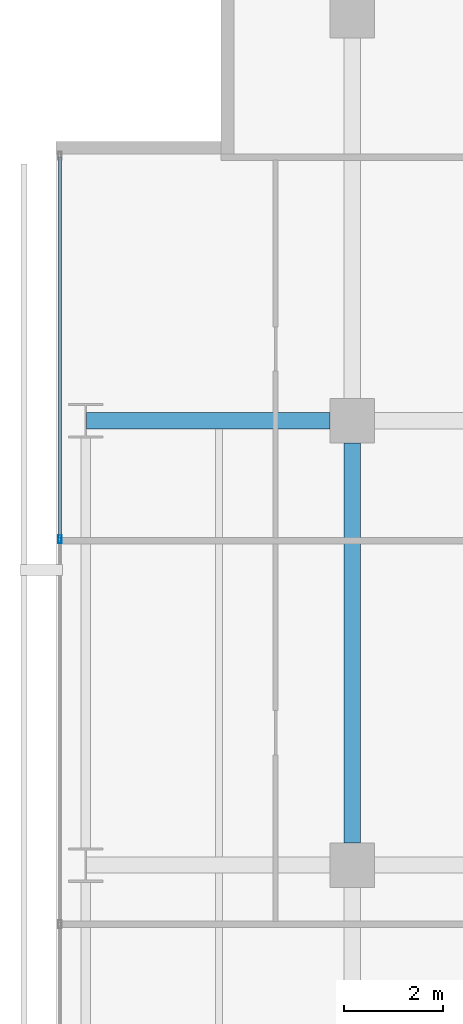
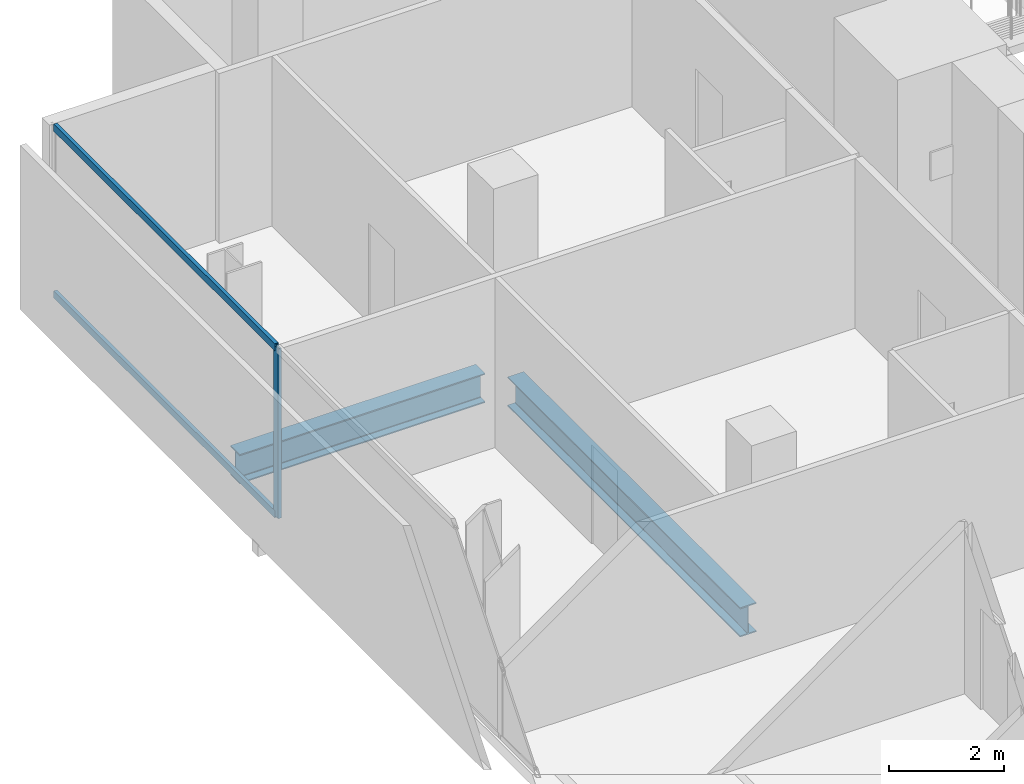
# One storey, part 23 of 40: 3 members, 2 beams, 1 element without a shape of its own.
"""IFC4 building model written with IfcOpenShell, lengths in metres."""

from ifc_helpers import new_model, si_unit, direction, frame, origin, origin_2d, place, context, subcontext, project, spatial, hollow_rectangle, i_section, extrude, material, layer, layer_set, material_profile, profile_set, type_object, element, aggregate, save


model = new_model("IFC4")

# Units and contexts
model_context = context("Model", 3, precision=1e-05, world=origin(), true_north=direction((0.0, 1.0)))
body_context = subcontext(model_context, "Body", "Model", "MODEL_VIEW")
ifc_project = project(units=[si_unit("LENGTHUNIT", "METRE"), si_unit("AREAUNIT", "SQUARE_METRE"), si_unit("VOLUMEUNIT", "CUBIC_METRE"), si_unit("PLANEANGLEUNIT", "RADIAN"), si_unit("MASSUNIT", "GRAM", prefix="KILO")], contexts=[model_context])

# Site, building, storey
site_placement = place(None, origin())
site = spatial("IfcSite", under=ifc_project, at=site_placement, CompositionType="ELEMENT")
building_placement = place(site_placement, origin())
building = spatial("IfcBuilding", under=site, at=building_placement, Name="Maruvema Waterfront Hotel and Observation Tower", CompositionType="ELEMENT")
storey_placement = place(building_placement, frame((0.0, 0.0, 57.75)))
storey = spatial("IfcBuildingStorey", under=building, at=storey_placement, Name="L13", CompositionType="ELEMENT", Elevation=57.75)

# Curtain wall, members
ifc_material_1 = material(Name="Anodised bronze aluminium and solar-control low-E IGU", Category="aluminium")
ifc_layer = layer(ifc_material_1, 0.159912109375, Name="Zone 1 Bronze Inner Thermal Curtain Wall System CW-02")
ifc_layer_set = layer_set([ifc_layer], Name="Anodised bronze aluminium and solar-control low-E IGU")
curtain_wall_type = type_object("IfcCurtainWallType", Name="Zone 1 Bronze Inner Thermal Curtain Wall System CW-02", PredefinedType="USERDEFINED", material=ifc_layer_set)
curtain_wall_placement = place(storey_placement, origin())
curtain_wall = element("IfcCurtainWall", 1, at=curtain_wall_placement, inside=storey, type_object=curtain_wall_type, Name="L13 Curtain Wall CW-L13-W", ObjectType="UNITISED CURTAIN WALL", PredefinedType="USERDEFINED")
ifc_material_2 = material(Name="Anodised architectural bronze aluminium", Category="aluminium")
ifc_material_profile_1 = material_profile(ifc_material_2, hollow_rectangle(XDim=0.070068359375, YDim=0.14990234375, WallThickness=0.00390625, at=origin_2d()), Name="ALU-T70x150")
ifc_profile_set_1 = profile_set([ifc_material_profile_1], Name="Anodised architectural bronze aluminium")
member_type_1 = type_object("IfcMemberType", Name="Curtain Wall Horizontal Transom ALU-T70x150", PredefinedType="USERDEFINED", material=ifc_profile_set_1)
member_1_placement = place(storey_placement, frame((10.8798828125, 50.340087890625, 0.030029296875), z_axis=(0.0, -1.0, 0.0), x_axis=(1.0, 0.0, 0.0)))
member_1 = element("IfcMember", 2, at=member_1_placement, type_object=member_type_1, Name="CW-02 transom 1.1", ObjectType="TRANSOM", PredefinedType="USERDEFINED", context=body_context, shape_type="SweptSolid", body=[
    extrude(hollow_rectangle(XDim=0.070068359375, YDim=0.14990234375, WallThickness=0.00390625, at=origin_2d()), origin(), (0.0, 0.0, 1.0), 7.710205078125),
])
member_2_placement = place(storey_placement, frame((10.8798828125, 50.340087890625, 3.580078125), z_axis=(0.0, -1.0, 0.0), x_axis=(1.0, 0.0, 0.0)))
member_2 = element("IfcMember", 3, at=member_2_placement, type_object=member_type_1, Name="CW-02 transom 1.2", ObjectType="TRANSOM", PredefinedType="USERDEFINED", context=body_context, shape_type="SweptSolid", body=[
    extrude(hollow_rectangle(XDim=0.070068359375, YDim=0.14990234375, WallThickness=0.00390625, at=origin_2d()), origin(), (0.0, 0.0, 1.0), 7.710205078125),
])
ifc_material_3 = material(Name="Anodised architectural bronze aluminium", Category="aluminium")
ifc_material_profile_2 = material_profile(ifc_material_3, hollow_rectangle(XDim=0.06494140625, YDim=0.1650390625, WallThickness=0.00390625, at=origin_2d()), Name="ALU-M65x165")
ifc_profile_set_2 = profile_set([ifc_material_profile_2], Name="Anodised architectural bronze aluminium")
member_type_2 = type_object("IfcMemberType", Name="Curtain Wall Primary Mullion ALU-M65x165", PredefinedType="MULLION", material=ifc_profile_set_2)
member_3_placement = place(storey_placement, frame((10.8798828125, 42.60009765625, 0.0), z_axis=(0.0, 0.0, 1.0), x_axis=(1.0, 0.0, 0.0)))
member_3 = element("IfcMember", 4, at=member_3_placement, type_object=member_type_2, Name="CW-02 mullion 2", PredefinedType="MULLION", context=body_context, shape_type="SweptSolid", body=[
    extrude(hollow_rectangle(XDim=0.06494140625, YDim=0.1650390625, WallThickness=0.00390625, at=origin_2d()), origin(), (0.0, 0.0, 1.0), 3.610107421875),
])
aggregate(curtain_wall, [member_3, member_1, member_2])

# Beams
ifc_material_4 = material(Name="Steel ASTM A572 Grade 50", Category="steel")
ifc_material_profile_3 = material_profile(ifc_material_4, i_section(OverallWidth=0.326904296875, OverallDepth=0.6220703125, WebThickness=0.015380859375, FlangeThickness=0.0244140625, FilletRadius=0.01806640625, at=origin_2d()), Name="W610x195.0")
ifc_profile_set_3 = profile_set([ifc_material_profile_3], Name="Steel ASTM A572 Grade 50")
beam_type = type_object("IfcBeamType", Name="Primary Floor Girder W610x195.0", PredefinedType="BEAM", material=ifc_profile_set_3)
beam_1_placement = place(storey_placement, frame((11.4140625, 45.0, -0.551025390625), z_axis=(1.0, 0.0, 0.0), x_axis=(0.0, 1.0, 0.0)))
element("IfcBeam", 5, at=beam_1_placement, inside=storey, type_object=beam_type, Name="L13 Floor Girder EW-32", PredefinedType="BEAM", context=body_context, shape_type="SweptSolid", body=[
    extrude(i_section(OverallWidth=0.326904296875, OverallDepth=0.6220703125, WebThickness=0.015380859375, FlangeThickness=0.0244140625, FilletRadius=0.01806640625, at=origin_2d()), origin(), (0.0, 0.0, 1.0), 4.93603515625),
])
beam_2_placement = place(storey_placement, frame((16.800048828125, 36.449951171875, -0.551025390625), z_axis=(0.0, 1.0, 0.0), x_axis=(-1.0, 0.0, 0.0)))
element("IfcBeam", 6, at=beam_2_placement, inside=storey, type_object=beam_type, Name="L13 Floor Girder NS-09", PredefinedType="BEAM", context=body_context, shape_type="SweptSolid", body=[
    extrude(i_section(OverallWidth=0.326904296875, OverallDepth=0.6220703125, WebThickness=0.015380859375, FlangeThickness=0.0244140625, FilletRadius=0.01806640625, at=origin_2d()), origin(), (0.0, 0.0, 1.0), 8.10009765625),
])

save(model, "model.ifc")
